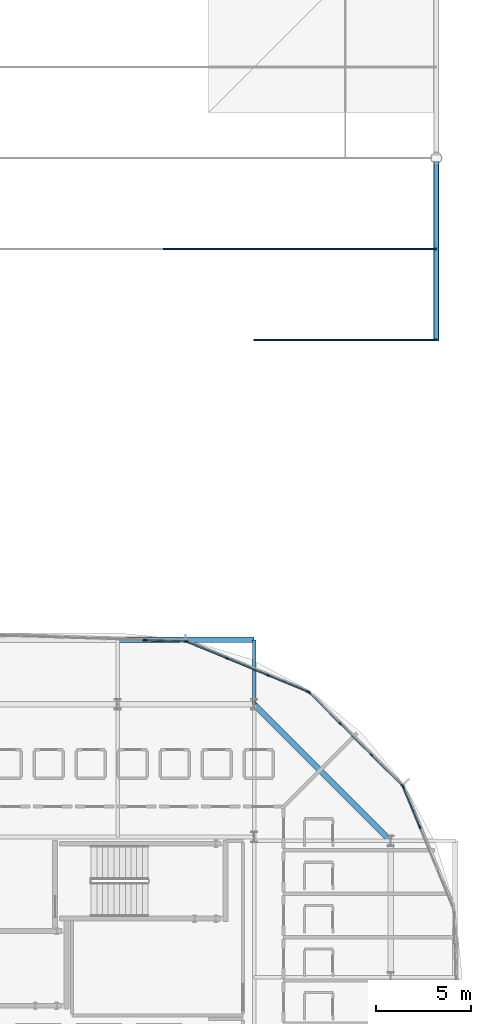
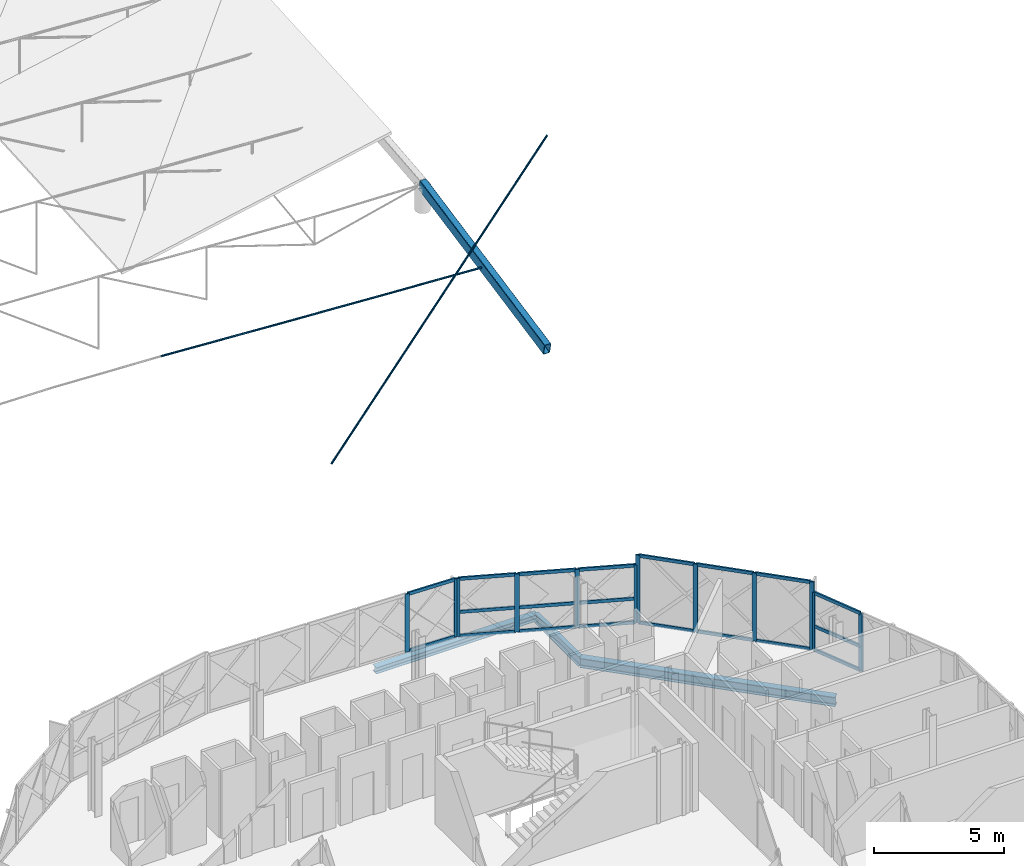
# One storey, part 14 of 50: 36 members, 4 beams, 4 elements without a shape of their own.
"""IFC4 building model written with IfcOpenShell, lengths in metres."""

from ifc_helpers import new_model, si_unit, direction, frame, origin, origin_2d, place, context, subcontext, project, spatial, rectangle, hollow_rectangle, circle, i_section, extrude, material, layer, layer_set, material_profile, profile_set, type_object, element, aggregate, save


model = new_model("IFC4")

# Units and contexts
model_context = context("Model", 3, precision=1e-05, world=origin(), true_north=direction((0.0, 1.0)))
body_context = subcontext(model_context, "Body", "Model", "MODEL_VIEW")
ifc_project = project(units=[si_unit("LENGTHUNIT", "METRE"), si_unit("AREAUNIT", "SQUARE_METRE"), si_unit("VOLUMEUNIT", "CUBIC_METRE"), si_unit("PLANEANGLEUNIT", "RADIAN"), si_unit("MASSUNIT", "GRAM", prefix="KILO")], contexts=[model_context])

# Site, building, storey
site_placement = place(None, origin())
site = spatial("IfcSite", under=ifc_project, at=site_placement, CompositionType="ELEMENT")
building_placement = place(site_placement, origin())
building = spatial("IfcBuilding", under=site, at=building_placement, Name="Zevrakil Square Congress Hotel", CompositionType="ELEMENT")
storey_placement = place(building_placement, frame((0.0, 0.0, 21.5)))
storey = spatial("IfcBuildingStorey", under=building, at=storey_placement, Name="L06", CompositionType="ELEMENT", Elevation=21.5)

# Beams
ifc_material_1 = material(Name="Steel S355", Category="steel")
ifc_material_profile_1 = material_profile(ifc_material_1, i_section(OverallWidth=0.300048828125, OverallDepth=0.43994140625, WebThickness=0.011474609375, FlangeThickness=0.02099609375, FilletRadius=0.027099609375, at=origin_2d()), Name="HEA 450")
ifc_profile_set_1 = profile_set([ifc_material_profile_1], Name="Steel S355")
beam_type_1 = type_object("IfcBeamType", Name="BM-HEA450", PredefinedType="BEAM", material=ifc_profile_set_1)
beam_1_placement = place(storey_placement, frame((163.199951171875, 38.39990234375, -0.409912109375), z_axis=(-0.70709479277, 0.7071187694, 0.0), x_axis=(-0.7071187694, -0.70709479277, 0.0)))
element("IfcBeam", 1, at=beam_1_placement, inside=storey, type_object=beam_type_1, Name="L06 drum ring girder DRB-08", PredefinedType="BEAM", context=body_context, shape_type="SweptSolid", body=[
    extrude(i_section(OverallWidth=0.300048828125, OverallDepth=0.43994140625, WebThickness=0.011474609375, FlangeThickness=0.02099609375, FilletRadius=0.027099609375, at=origin_2d()), origin(), (0.0, 0.0, 1.0), 10.182373046875),
])
ifc_material_2 = material(Name="Steel S355", Category="steel")
ifc_material_profile_2 = material_profile(ifc_material_2, i_section(OverallWidth=0.18994140625, OverallDepth=0.449951171875, WebThickness=0.009521484375, FlangeThickness=0.0146484375, FilletRadius=0.02099609375, at=origin_2d()), Name="IPE 450")
ifc_profile_set_2 = profile_set([ifc_material_profile_2], Name="Steel S355")
beam_type_2 = type_object("IfcBeamType", Name="BM-IPE450", PredefinedType="BEAM", material=ifc_profile_set_2)
beam_2_placement = place(storey_placement, frame((156.0, 45.60009765625, -0.4150390625), z_axis=(0.0, 1.0, 0.0), x_axis=(-1.0, 0.0, 0.0)))
element("IfcBeam", 2, at=beam_2_placement, inside=storey, type_object=beam_type_2, Name="L06 drum radial edge cantilever beam DRO-09", PredefinedType="BEAM", context=body_context, shape_type="SweptSolid", body=[
    extrude(i_section(OverallWidth=0.18994140625, OverallDepth=0.449951171875, WebThickness=0.009521484375, FlangeThickness=0.0146484375, FilletRadius=0.02099609375, at=origin_2d()), origin(), (0.0, 0.0, 1.0), 3.39990234375),
])

# Curtain wall, members
ifc_material_3 = material(Name="Aluminium Anodised Bronze", Category="aluminium")
ifc_layer_1 = layer(ifc_material_3, 0.179931640625)
ifc_layer_set_1 = layer_set([ifc_layer_1], Name="Aluminium Anodised Bronze")
curtain_wall_type_1 = type_object("IfcCurtainWallType", Name="CW-L06-720", PredefinedType="USERDEFINED", material=ifc_layer_set_1)
curtain_wall_1_placement = place(storey_placement, origin())
curtain_wall_1 = element("IfcCurtainWall", 3, at=curtain_wall_1_placement, inside=storey, type_object=curtain_wall_type_1, Name="L06 diamond curtain wall CW-L06-0206", ObjectType="GLAZED CURTAIN WALL", PredefinedType="USERDEFINED")
ifc_material_4 = material(Name="Aluminium Anodised Bronze", Category="aluminium")
ifc_material_profile_3 = material_profile(ifc_material_4, rectangle(XDim=0.074951171875, YDim=0.14990234375, at=origin_2d()), Name="ALU 75x150")
ifc_profile_set_3 = profile_set([ifc_material_profile_3], Name="Aluminium Anodised Bronze")
member_type_1 = type_object("IfcMemberType", Name="CWM-ALU75x150", PredefinedType="USERDEFINED", material=ifc_profile_set_3)
member_1_placement = place(storey_placement, frame((164.716064453125, 39.150634765625, 0.030029296875), z_axis=(-0.382668727465, 0.923885623343, 0.0), x_axis=(-0.923885623343, -0.382668727465, 0.0)))
member_1 = element("IfcMember", 4, at=member_1_placement, type_object=member_type_1, Name="CW-70 transom 3.1", ObjectType="TRANSOM", PredefinedType="USERDEFINED", context=body_context, shape_type="SweptSolid", body=[
    extrude(rectangle(XDim=0.074951171875, YDim=0.14990234375, at=origin_2d()), origin(), (0.0, 0.0, 1.0), 2.2451171875),
])
member_2_placement = place(storey_placement, frame((164.716064453125, 39.150634765625, 1.146484375), z_axis=(-0.382668727465, 0.923885623343, 0.0), x_axis=(-0.923885623343, -0.382668727465, 0.0)))
member_2 = element("IfcMember", 5, at=member_2_placement, type_object=member_type_1, Name="CW-70 transom 3.2", ObjectType="TRANSOM", PredefinedType="USERDEFINED", context=body_context, shape_type="SweptSolid", body=[
    extrude(rectangle(XDim=0.074951171875, YDim=0.14990234375, at=origin_2d()), origin(), (0.0, 0.0, 1.0), 2.2451171875),
])
member_3_placement = place(storey_placement, frame((164.716064453125, 39.150634765625, 2.699951171875), z_axis=(-0.382668727465, 0.923885623343, 0.0), x_axis=(-0.923885623343, -0.382668727465, 0.0)))
member_3 = element("IfcMember", 6, at=member_3_placement, type_object=member_type_1, Name="CW-70 transom 3.3", ObjectType="TRANSOM", PredefinedType="USERDEFINED", context=body_context, shape_type="SweptSolid", body=[
    extrude(rectangle(XDim=0.074951171875, YDim=0.14990234375, at=origin_2d()), origin(), (0.0, 0.0, 1.0), 2.2451171875),
])

curtain_wall_2_placement = place(storey_placement, origin())
curtain_wall_2 = element("IfcCurtainWall", 7, at=curtain_wall_2_placement, inside=storey, type_object=curtain_wall_type_1, Name="L06 diamond curtain wall CW-L06-0207", ObjectType="GLAZED CURTAIN WALL", PredefinedType="USERDEFINED")
member_4_placement = place(storey_placement, frame((163.79150390625, 41.32275390625, 0.030029296875), z_axis=(-0.707052407179, 0.707161151013, 0.0), x_axis=(-0.707161151013, -0.707052407179, 0.0)))
member_4 = element("IfcMember", 8, at=member_4_placement, type_object=member_type_1, Name="CW-70 transom 1.1", ObjectType="TRANSOM", PredefinedType="USERDEFINED", context=body_context, shape_type="SweptSolid", body=[
    extrude(rectangle(XDim=0.074951171875, YDim=0.14990234375, at=origin_2d()), origin(), (0.0, 0.0, 1.0), 2.2451171875),
])
member_5_placement = place(storey_placement, frame((163.79150390625, 41.32275390625, 3.1650390625), z_axis=(-0.707052407179, 0.707161151013, 0.0), x_axis=(-0.707161151013, -0.707052407179, 0.0)))
member_5 = element("IfcMember", 9, at=member_5_placement, type_object=member_type_1, Name="CW-70 transom 1.2", ObjectType="TRANSOM", PredefinedType="USERDEFINED", context=body_context, shape_type="SweptSolid", body=[
    extrude(rectangle(XDim=0.074951171875, YDim=0.14990234375, at=origin_2d()), origin(), (0.0, 0.0, 1.0), 2.2451171875),
])
member_6_placement = place(storey_placement, frame((162.16162109375, 42.95263671875, 0.030029296875), z_axis=(-0.707106781187, 0.707106781187, 0.0), x_axis=(-0.707106781187, -0.707106781187, 0.0)))
member_6 = element("IfcMember", 10, at=member_6_placement, type_object=member_type_1, Name="CW-70 transom 2.1", ObjectType="TRANSOM", PredefinedType="USERDEFINED", context=body_context, shape_type="SweptSolid", body=[
    extrude(rectangle(XDim=0.074951171875, YDim=0.14990234375, at=origin_2d()), origin(), (0.0, 0.0, 1.0), 2.275390625),
])
member_7_placement = place(storey_placement, frame((162.16162109375, 42.95263671875, 3.1650390625), z_axis=(-0.707106781187, 0.707106781187, 0.0), x_axis=(-0.707106781187, -0.707106781187, 0.0)))
member_7 = element("IfcMember", 11, at=member_7_placement, type_object=member_type_1, Name="CW-70 transom 2.2", ObjectType="TRANSOM", PredefinedType="USERDEFINED", context=body_context, shape_type="SweptSolid", body=[
    extrude(rectangle(XDim=0.074951171875, YDim=0.14990234375, at=origin_2d()), origin(), (0.0, 0.0, 1.0), 2.275390625),
])
member_8_placement = place(storey_placement, frame((160.51025390625, 44.60400390625, 0.030029296875), z_axis=(-0.707106781187, 0.707106781187, 0.0), x_axis=(-0.707106781187, -0.707106781187, 0.0)))
member_8 = element("IfcMember", 12, at=member_8_placement, type_object=member_type_1, Name="CW-70 transom 3.1", ObjectType="TRANSOM", PredefinedType="USERDEFINED", context=body_context, shape_type="SweptSolid", body=[
    extrude(rectangle(XDim=0.074951171875, YDim=0.14990234375, at=origin_2d()), origin(), (0.0, 0.0, 1.0), 2.245361328125),
])
member_9_placement = place(storey_placement, frame((160.51025390625, 44.60400390625, 3.1650390625), z_axis=(-0.707106781187, 0.707106781187, 0.0), x_axis=(-0.707106781187, -0.707106781187, 0.0)))
member_9 = element("IfcMember", 13, at=member_9_placement, type_object=member_type_1, Name="CW-70 transom 3.2", ObjectType="TRANSOM", PredefinedType="USERDEFINED", context=body_context, shape_type="SweptSolid", body=[
    extrude(rectangle(XDim=0.074951171875, YDim=0.14990234375, at=origin_2d()), origin(), (0.0, 0.0, 1.0), 2.245361328125),
])

curtain_wall_3_placement = place(storey_placement, origin())
curtain_wall_3 = element("IfcCurtainWall", 14, at=curtain_wall_3_placement, inside=storey, type_object=curtain_wall_type_1, Name="L06 diamond curtain wall CW-L06-0208", ObjectType="GLAZED CURTAIN WALL", PredefinedType="USERDEFINED")
member_10_placement = place(storey_placement, frame((158.824951171875, 46.257080078125, 0.030029296875), z_axis=(-0.923901544851, 0.382630285552, 0.0), x_axis=(-0.382630285552, -0.923901544851, 0.0)))
member_10 = element("IfcMember", 15, at=member_10_placement, type_object=member_type_1, Name="CW-70 transom 1.1", ObjectType="TRANSOM", PredefinedType="USERDEFINED", context=body_context, shape_type="SweptSolid", body=[
    extrude(rectangle(XDim=0.074951171875, YDim=0.14990234375, at=origin_2d()), origin(), (0.0, 0.0, 1.0), 2.245361328125),
])
member_11_placement = place(storey_placement, frame((158.824951171875, 46.257080078125, 1.146484375), z_axis=(-0.923901544851, 0.382630285552, 0.0), x_axis=(-0.382630285552, -0.923901544851, 0.0)))
member_11 = element("IfcMember", 16, at=member_11_placement, type_object=member_type_1, Name="CW-70 transom 1.2", ObjectType="TRANSOM", PredefinedType="USERDEFINED", context=body_context, shape_type="SweptSolid", body=[
    extrude(rectangle(XDim=0.074951171875, YDim=0.14990234375, at=origin_2d()), origin(), (0.0, 0.0, 1.0), 2.245361328125),
])
member_12_placement = place(storey_placement, frame((158.824951171875, 46.257080078125, 2.699951171875), z_axis=(-0.923901544851, 0.382630285552, 0.0), x_axis=(-0.382630285552, -0.923901544851, 0.0)))
member_12 = element("IfcMember", 17, at=member_12_placement, type_object=member_type_1, Name="CW-70 transom 1.3", ObjectType="TRANSOM", PredefinedType="USERDEFINED", context=body_context, shape_type="SweptSolid", body=[
    extrude(rectangle(XDim=0.074951171875, YDim=0.14990234375, at=origin_2d()), origin(), (0.0, 0.0, 1.0), 2.245361328125),
])
member_13_placement = place(storey_placement, frame((156.695068359375, 47.13916015625, 0.030029296875), z_axis=(-0.923893901698, 0.382648740238, 0.0), x_axis=(-0.382648740238, -0.923893901698, 0.0)))
member_13 = element("IfcMember", 18, at=member_13_placement, type_object=member_type_1, Name="CW-70 transom 2.1", ObjectType="TRANSOM", PredefinedType="USERDEFINED", context=body_context, shape_type="SweptSolid", body=[
    extrude(rectangle(XDim=0.074951171875, YDim=0.14990234375, at=origin_2d()), origin(), (0.0, 0.0, 1.0), 2.275146484375),
])
member_14_placement = place(storey_placement, frame((156.695068359375, 47.13916015625, 1.146484375), z_axis=(-0.923893901698, 0.382648740238, 0.0), x_axis=(-0.382648740238, -0.923893901698, 0.0)))
member_14 = element("IfcMember", 19, at=member_14_placement, type_object=member_type_1, Name="CW-70 transom 2.2", ObjectType="TRANSOM", PredefinedType="USERDEFINED", context=body_context, shape_type="SweptSolid", body=[
    extrude(rectangle(XDim=0.074951171875, YDim=0.14990234375, at=origin_2d()), origin(), (0.0, 0.0, 1.0), 2.275146484375),
])
member_15_placement = place(storey_placement, frame((156.695068359375, 47.13916015625, 2.699951171875), z_axis=(-0.923893901698, 0.382648740238, 0.0), x_axis=(-0.382648740238, -0.923893901698, 0.0)))
member_15 = element("IfcMember", 20, at=member_15_placement, type_object=member_type_1, Name="CW-70 transom 2.3", ObjectType="TRANSOM", PredefinedType="USERDEFINED", context=body_context, shape_type="SweptSolid", body=[
    extrude(rectangle(XDim=0.074951171875, YDim=0.14990234375, at=origin_2d()), origin(), (0.0, 0.0, 1.0), 2.275146484375),
])
member_16_placement = place(storey_placement, frame((154.53759765625, 48.03271484375, 0.030029296875), z_axis=(-0.923863103406, 0.382723093326, 0.0), x_axis=(-0.382723093326, -0.923863103406, 0.0)))
member_16 = element("IfcMember", 21, at=member_16_placement, type_object=member_type_1, Name="CW-70 transom 3.1", ObjectType="TRANSOM", PredefinedType="USERDEFINED", context=body_context, shape_type="SweptSolid", body=[
    extrude(rectangle(XDim=0.074951171875, YDim=0.14990234375, at=origin_2d()), origin(), (0.0, 0.0, 1.0), 2.245361328125),
])
member_17_placement = place(storey_placement, frame((154.53759765625, 48.03271484375, 1.146484375), z_axis=(-0.923863103406, 0.382723093326, 0.0), x_axis=(-0.382723093326, -0.923863103406, 0.0)))
member_17 = element("IfcMember", 22, at=member_17_placement, type_object=member_type_1, Name="CW-70 transom 3.2", ObjectType="TRANSOM", PredefinedType="USERDEFINED", context=body_context, shape_type="SweptSolid", body=[
    extrude(rectangle(XDim=0.074951171875, YDim=0.14990234375, at=origin_2d()), origin(), (0.0, 0.0, 1.0), 2.245361328125),
])
member_18_placement = place(storey_placement, frame((154.53759765625, 48.03271484375, 2.699951171875), z_axis=(-0.923863103406, 0.382723093326, 0.0), x_axis=(-0.382723093326, -0.923863103406, 0.0)))
member_18 = element("IfcMember", 23, at=member_18_placement, type_object=member_type_1, Name="CW-70 transom 3.3", ObjectType="TRANSOM", PredefinedType="USERDEFINED", context=body_context, shape_type="SweptSolid", body=[
    extrude(rectangle(XDim=0.074951171875, YDim=0.14990234375, at=origin_2d()), origin(), (0.0, 0.0, 1.0), 2.245361328125),
])

ifc_material_5 = material(Name="Aluminium Anodised Bronze", Category="aluminium")
ifc_layer_2 = layer(ifc_material_5, 0.179931640625)
ifc_layer_set_2 = layer_set([ifc_layer_2], Name="Aluminium Anodised Bronze")
curtain_wall_type_2 = type_object("IfcCurtainWallType", Name="CW-L06-900", PredefinedType="USERDEFINED", material=ifc_layer_set_2)
curtain_wall_4_placement = place(storey_placement, origin())
curtain_wall_4 = element("IfcCurtainWall", 24, at=curtain_wall_4_placement, inside=storey, type_object=curtain_wall_type_2, Name="L06 diamond curtain wall CW-L06-0209", ObjectType="GLAZED CURTAIN WALL", PredefinedType="USERDEFINED")
member_19_placement = place(storey_placement, frame((152.347900390625, 48.9169921875, 0.030029296875), z_axis=(-0.999500634127, 0.031598771798, 0.0), x_axis=(-0.031598771798, -0.999500634127, 0.0)))
member_19 = element("IfcMember", 25, at=member_19_placement, type_object=member_type_1, Name="CW-72 transom 1.1", ObjectType="TRANSOM", PredefinedType="USERDEFINED", context=body_context, shape_type="SweptSolid", body=[
    extrude(rectangle(XDim=0.074951171875, YDim=0.14990234375, at=origin_2d()), origin(), (0.0, 0.0, 1.0), 2.09375),
])
member_20_placement = place(storey_placement, frame((152.347900390625, 48.9169921875, 2.699951171875), z_axis=(-0.999500634127, 0.031598771798, 0.0), x_axis=(-0.031598771798, -0.999500634127, 0.0)))
member_20 = element("IfcMember", 26, at=member_20_placement, type_object=member_type_1, Name="CW-72 transom 1.2", ObjectType="TRANSOM", PredefinedType="USERDEFINED", context=body_context, shape_type="SweptSolid", body=[
    extrude(rectangle(XDim=0.074951171875, YDim=0.14990234375, at=origin_2d()), origin(), (0.0, 0.0, 1.0), 2.09375),
])

# Member
ifc_material_6 = material(Name="Aluminium Anodised Bronze", Category="aluminium")
ifc_material_profile_4 = material_profile(ifc_material_6, rectangle(XDim=0.074951171875, YDim=0.179931640625, at=origin_2d()), Name="ALU 75x180")
ifc_profile_set_4 = profile_set([ifc_material_profile_4], Name="Aluminium Anodised Bronze")
member_type_2 = type_object("IfcMemberType", Name="CWM-ALU75x180", PredefinedType="MULLION", material=ifc_profile_set_4)
member_21_placement = place(storey_placement, frame((164.727783203125, 39.122802734375, 0.0), z_axis=(0.0, 0.0, 1.0), x_axis=(-0.92387939537, -0.382683763454, 0.0)))
member_21 = element("IfcMember", 27, at=member_21_placement, type_object=member_type_2, Name="CW-70 mullion 3", PredefinedType="MULLION", context=body_context, shape_type="SweptSolid", body=[
    extrude(rectangle(XDim=0.074951171875, YDim=0.179931640625, at=origin_2d()), origin(), (0.0, 0.0, 1.0), 2.72998046875),
])

member_22_placement = place(storey_placement, frame((163.845458984375, 41.252685546875, 0.0), z_axis=(0.0, 0.0, 1.0), x_axis=(-0.92387939537, -0.382683763454, 0.0)))
member_22 = element("IfcMember", 28, at=member_22_placement, type_object=member_type_2, Name="CW-70 mullion 4", PredefinedType="MULLION", context=body_context, shape_type="SweptSolid", body=[
    extrude(rectangle(XDim=0.074951171875, YDim=0.179931640625, at=origin_2d()), origin(), (0.0, 0.0, 1.0), 2.72998046875),
])

aggregate(curtain_wall_1, [member_21, member_22, member_1, member_2, member_3])

member_23_placement = place(storey_placement, frame((163.812744140625, 41.301513671875, 0.0), z_axis=(0.0, 0.0, 1.0), x_axis=(-0.707106781187, -0.707106781187, 0.0)))
member_23 = element("IfcMember", 29, at=member_23_placement, type_object=member_type_2, Name="CW-70 mullion 1", PredefinedType="MULLION", context=body_context, shape_type="SweptSolid", body=[
    extrude(rectangle(XDim=0.074951171875, YDim=0.179931640625, at=origin_2d()), origin(), (0.0, 0.0, 1.0), 3.195068359375),
])

member_24_placement = place(storey_placement, frame((162.182861328125, 42.931640625, 0.0), z_axis=(0.0, 0.0, 1.0), x_axis=(-0.707106781187, -0.707106781187, 0.0)))
member_24 = element("IfcMember", 30, at=member_24_placement, type_object=member_type_2, Name="CW-70 mullion 2", PredefinedType="MULLION", context=body_context, shape_type="SweptSolid", body=[
    extrude(rectangle(XDim=0.074951171875, YDim=0.179931640625, at=origin_2d()), origin(), (0.0, 0.0, 1.0), 3.195068359375),
])

member_25_placement = place(storey_placement, frame((160.531494140625, 44.582763671875, 0.0), z_axis=(0.0, 0.0, 1.0), x_axis=(-0.707106781187, -0.707106781187, 0.0)))
member_25 = element("IfcMember", 31, at=member_25_placement, type_object=member_type_2, Name="CW-70 mullion 3", PredefinedType="MULLION", context=body_context, shape_type="SweptSolid", body=[
    extrude(rectangle(XDim=0.074951171875, YDim=0.179931640625, at=origin_2d()), origin(), (0.0, 0.0, 1.0), 3.195068359375),
])

member_26_placement = place(storey_placement, frame((158.901611328125, 46.212890625, 0.0), z_axis=(0.0, 0.0, 1.0), x_axis=(-0.707106781187, -0.707106781187, 0.0)))
member_26 = element("IfcMember", 32, at=member_26_placement, type_object=member_type_2, Name="CW-70 mullion 4", PredefinedType="MULLION", context=body_context, shape_type="SweptSolid", body=[
    extrude(rectangle(XDim=0.074951171875, YDim=0.179931640625, at=origin_2d()), origin(), (0.0, 0.0, 1.0), 3.195068359375),
])

aggregate(curtain_wall_2, [member_23, member_24, member_25, member_26, member_4, member_5, member_6, member_7, member_8, member_9])

member_27_placement = place(storey_placement, frame((158.8525390625, 46.245361328125, 0.0), z_axis=(0.0, 0.0, 1.0), x_axis=(-0.382683763454, -0.92387939537, 0.0)))
member_27 = element("IfcMember", 33, at=member_27_placement, type_object=member_type_2, Name="CW-70 mullion 1", PredefinedType="MULLION", context=body_context, shape_type="SweptSolid", body=[
    extrude(rectangle(XDim=0.074951171875, YDim=0.179931640625, at=origin_2d()), origin(), (0.0, 0.0, 1.0), 2.72998046875),
])

member_28_placement = place(storey_placement, frame((156.722900390625, 47.127685546875, 0.0), z_axis=(0.0, 0.0, 1.0), x_axis=(-0.382683763454, -0.92387939537, 0.0)))
member_28 = element("IfcMember", 34, at=member_28_placement, type_object=member_type_2, Name="CW-70 mullion 2", PredefinedType="MULLION", context=body_context, shape_type="SweptSolid", body=[
    extrude(rectangle(XDim=0.074951171875, YDim=0.179931640625, at=origin_2d()), origin(), (0.0, 0.0, 1.0), 2.72998046875),
])

member_29_placement = place(storey_placement, frame((154.565185546875, 48.021240234375, 0.0), z_axis=(0.0, 0.0, 1.0), x_axis=(-0.382683763454, -0.92387939537, 0.0)))
member_29 = element("IfcMember", 35, at=member_29_placement, type_object=member_type_2, Name="CW-70 mullion 3", PredefinedType="MULLION", context=body_context, shape_type="SweptSolid", body=[
    extrude(rectangle(XDim=0.074951171875, YDim=0.179931640625, at=origin_2d()), origin(), (0.0, 0.0, 1.0), 2.72998046875),
])

member_30_placement = place(storey_placement, frame((152.435546875, 48.903564453125, 0.0), z_axis=(0.0, 0.0, 1.0), x_axis=(-0.382683763454, -0.92387939537, 0.0)))
member_30 = element("IfcMember", 36, at=member_30_placement, type_object=member_type_2, Name="CW-70 mullion 4", PredefinedType="MULLION", context=body_context, shape_type="SweptSolid", body=[
    extrude(rectangle(XDim=0.074951171875, YDim=0.179931640625, at=origin_2d()), origin(), (0.0, 0.0, 1.0), 2.72998046875),
])

aggregate(curtain_wall_3, [member_27, member_28, member_29, member_30, member_10, member_11, member_12, member_13, member_14, member_15, member_16, member_17, member_18])

member_31_placement = place(storey_placement, frame((152.3779296875, 48.916015625, 0.0), z_axis=(0.0, 0.0, 1.0), x_axis=(-0.031598464383, -0.999500643846, 0.0)))
member_31 = element("IfcMember", 37, at=member_31_placement, type_object=member_type_2, Name="CW-72 mullion 1", PredefinedType="MULLION", context=body_context, shape_type="SweptSolid", body=[
    extrude(rectangle(XDim=0.074951171875, YDim=0.179931640625, at=origin_2d()), origin(), (0.0, 0.0, 1.0), 2.72998046875),
])

member_32_placement = place(storey_placement, frame((150.225341796875, 48.98388671875, 0.0), z_axis=(0.0, 0.0, 1.0), x_axis=(-0.031598464383, -0.999500643846, 0.0)))
member_32 = element("IfcMember", 38, at=member_32_placement, type_object=member_type_2, Name="CW-72 mullion 2", PredefinedType="MULLION", context=body_context, shape_type="SweptSolid", body=[
    extrude(rectangle(XDim=0.074951171875, YDim=0.179931640625, at=origin_2d()), origin(), (0.0, 0.0, 1.0), 2.72998046875),
])

aggregate(curtain_wall_4, [member_31, member_32, member_19, member_20])

# Members
ifc_material_7 = material(Name="Steel S355", Category="steel")
ifc_material_profile_5 = material_profile(ifc_material_7, circle(Radius=0.033935546875, at=origin_2d()), Name="CABLE RD68")
ifc_profile_set_5 = profile_set([ifc_material_profile_5], Name="Steel S355")
member_type_3 = type_object("IfcMemberType", Name="MEM-CABLE-RD68", PredefinedType="USERDEFINED", material=ifc_profile_set_5)
member_33_placement = place(storey_placement, frame((151.199951171875, 69.60009765625, 1.039794921875), z_axis=(0.998191648201, 0.0, -0.060111841283), x_axis=(0.0, 1.0, 0.0)))
element("IfcMember", 39, at=member_33_placement, inside=storey, type_object=member_type_3, Name="Congress lenticular upper cable chord CBU-01 seg 8", ObjectType="ROOF CABLE", PredefinedType="USERDEFINED", context=body_context, shape_type="SweptSolid", body=[
    extrude(circle(Radius=0.033935546875, at=origin_2d()), origin(), (0.0, 0.0, 1.0), 4.808837890625),
])
member_34_placement = place(storey_placement, frame((156.0, 69.60009765625, 0.750732421875), z_axis=(0.998364054477, 0.0, -0.057177047217), x_axis=(0.0, 1.0, 0.0)))
element("IfcMember", 40, at=member_34_placement, inside=storey, type_object=member_type_3, Name="Congress lenticular upper cable chord CBU-01 seg 9", ObjectType="ROOF CABLE", PredefinedType="USERDEFINED", context=body_context, shape_type="SweptSolid", body=[
    extrude(circle(Radius=0.033935546875, at=origin_2d()), origin(), (0.0, 0.0, 1.0), 4.807861328125),
])
member_35_placement = place(storey_placement, frame((160.800048828125, 69.60009765625, 0.475830078125), z_axis=(0.998469558713, 0.0, -0.055304071484), x_axis=(0.0, 1.0, 0.0)))
element("IfcMember", 41, at=member_35_placement, inside=storey, type_object=member_type_3, Name="Congress lenticular upper cable chord CBU-01 seg 10", ObjectType="ROOF CABLE", PredefinedType="USERDEFINED", context=body_context, shape_type="SweptSolid", body=[
    extrude(circle(Radius=0.033935546875, at=origin_2d()), origin(), (0.0, 0.0, 1.0), 4.807373046875),
])
ifc_material_8 = material(Name="Steel S355", Category="steel")
ifc_material_profile_6 = material_profile(ifc_material_8, circle(Radius=0.0439453125, at=origin_2d()), Name="CABLE RD88")
ifc_profile_set_6 = profile_set([ifc_material_profile_6], Name="Steel S355")
member_type_4 = type_object("IfcMemberType", Name="MEM-CABLE-RD88", PredefinedType="USERDEFINED", material=ifc_profile_set_6)
member_36_placement = place(storey_placement, frame((165.60009765625, 64.800048828125, 9.300048828125), z_axis=(-0.621594122939, 0.0, -0.783339483447), x_axis=(0.0, -1.0, 0.0)))
element("IfcMember", 42, at=member_36_placement, inside=storey, type_object=member_type_4, Name="Mast MS-02 locked-coil stay cable CS-21", ObjectType="ROOF CABLE", PredefinedType="USERDEFINED", context=body_context, shape_type="SweptSolid", body=[
    extrude(circle(Radius=0.0439453125, at=origin_2d()), origin(), (0.0, 0.0, 1.0), 15.4443359375),
])

# Beams
ifc_material_9 = material(Name="Steel S355", Category="steel")
ifc_material_profile_7 = material_profile(ifc_material_9, hollow_rectangle(XDim=0.300048828125, YDim=0.5, WallThickness=0.02001953125, InnerFilletRadius=0.02001953125, OuterFilletRadius=0.0400390625, at=origin_2d()), Name="RHS 500x300x20")
ifc_profile_set_7 = profile_set([ifc_material_profile_7], Name="Steel S355")
beam_type_3 = type_object("IfcBeamType", Name="RNG-RHS500", PredefinedType="USERDEFINED", material=ifc_profile_set_7)
beam_3_placement = place(storey_placement, frame((165.60009765625, 64.800048828125, -0.75), z_axis=(0.0, 0.980581634828, 0.196111339393), x_axis=(-1.0, 0.0, 0.0)))
element("IfcBeam", 43, at=beam_3_placement, inside=storey, type_object=beam_type_3, Name="Congress Hall compression ring beam RB-06", ObjectType="RING BEAM", PredefinedType="USERDEFINED", context=body_context, shape_type="SweptSolid", body=[
    extrude(hollow_rectangle(XDim=0.300048828125, YDim=0.5, WallThickness=0.02001953125, InnerFilletRadius=0.02001953125, OuterFilletRadius=0.0400390625, at=origin_2d()), origin(), (0.0, 0.0, 1.0), 9.7900390625),
])
ifc_material_10 = material(Name="Steel S355", Category="steel")
ifc_material_profile_8 = material_profile(ifc_material_10, i_section(OverallWidth=0.300048828125, OverallDepth=0.300048828125, WebThickness=0.010986328125, FlangeThickness=0.01904296875, FilletRadius=0.027099609375, at=origin_2d()), Name="HEB 300")
ifc_profile_set_8 = profile_set([ifc_material_profile_8], Name="Steel S355")
beam_type_4 = type_object("IfcBeamType", Name="SPD-RHS250", PredefinedType="SPANDREL", material=ifc_profile_set_8)
beam_4_placement = place(storey_placement, frame((156.0, 49.0, -0.340087890625), z_axis=(-1.0, 0.0, 0.0), x_axis=(0.0, -1.0, 0.0)))
element("IfcBeam", 44, at=beam_4_placement, inside=storey, type_object=beam_type_4, Name="L06 drum edge spandrel beam DSP-08", PredefinedType="SPANDREL", context=body_context, shape_type="SweptSolid", body=[
    extrude(i_section(OverallWidth=0.300048828125, OverallDepth=0.300048828125, WebThickness=0.010986328125, FlangeThickness=0.01904296875, FilletRadius=0.027099609375, at=origin_2d()), origin(), (0.0, 0.0, 1.0), 7.199951171875),
])

save(model, "model.ifc")
